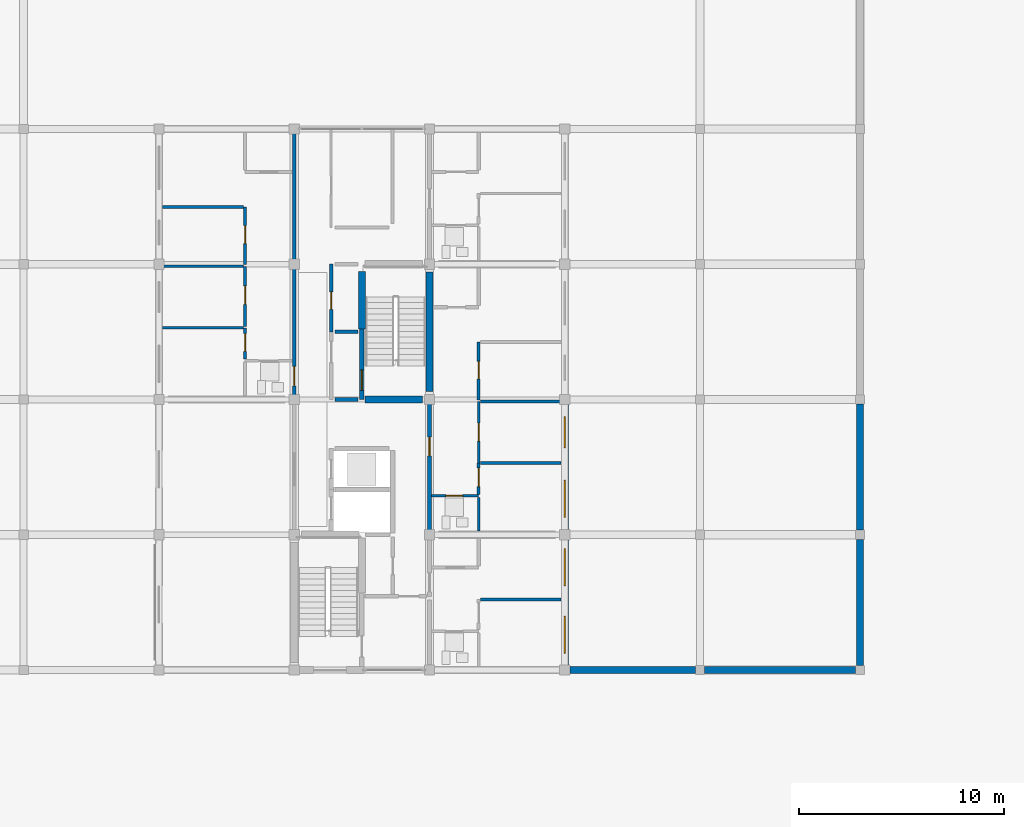
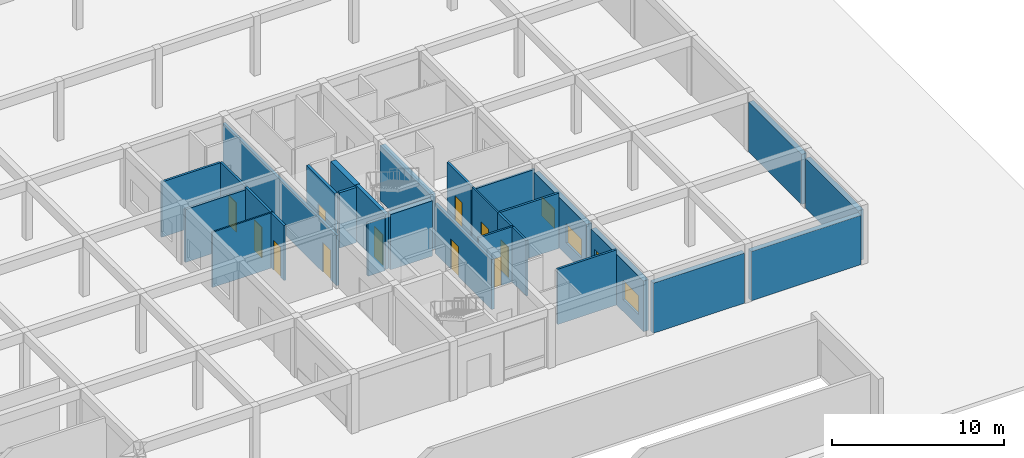
# One storey, part 59 of 75: 29 walls, 11 doors, 4 windows, 15 openings.
"""IFC4 building model written with IfcOpenShell, lengths in metres."""

from ifc_helpers import new_model, si_unit, direction, frame, frame_2d, origin, place, context, subcontext, project, spatial, rectangle, extrude, material, layer, layer_set, type_object, element, fill, save


model = new_model("IFC4")

# Units and contexts
model_context = context("Model", 3, precision=1e-05, world=origin(), true_north=direction((0.0, 1.0)))
body_context = subcontext(model_context, "Body", "Model", "MODEL_VIEW")
ifc_project = project(units=[si_unit("LENGTHUNIT", "METRE"), si_unit("AREAUNIT", "SQUARE_METRE"), si_unit("VOLUMEUNIT", "CUBIC_METRE"), si_unit("PLANEANGLEUNIT", "RADIAN"), si_unit("MASSUNIT", "GRAM", prefix="KILO")], contexts=[model_context])

# Site, building, storey
site_placement = place(None, origin())
site = spatial("IfcSite", under=ifc_project, at=site_placement, CompositionType="ELEMENT")
building_placement = place(site_placement, origin())
building = spatial("IfcBuilding", under=site, at=building_placement, Name="Kernevlak Ridge Housing Community", CompositionType="ELEMENT")
storey_placement = place(building_placement, origin())
storey = spatial("IfcBuildingStorey", under=building, at=storey_placement, Name="L00", CompositionType="ELEMENT", Elevation=0.0)

# Wall, openings, windows
ifc_material_1 = material(Name="Concrete block masonry M10", Category="masonry")
ifc_layer_1 = layer(ifc_material_1, 0.340087890625, Name="Concrete block masonry M10")
ifc_layer_set_1 = layer_set([ifc_layer_1], Name="Concrete block masonry M10")
wall_type_1 = type_object("IfcWallType", Name="EW-04", PredefinedType="STANDARD", material=ifc_layer_set_1)
wall_1_placement = place(storey_placement, frame((145.800048828125, 15.85009765625, 0.0), z_axis=(0.0, 0.0, 1.0), x_axis=(0.0, 1.0, 0.0)))
wall_1 = element("IfcWall", 1, at=wall_1_placement, inside=storey, type_object=wall_type_1, Name="Exterior wall EW-04 L00 538", PredefinedType="STANDARD", context=body_context, shape_type="SweptSolid", body=[
    extrude(rectangle(XDim=6.099853515625, YDim=0.340087890625, at=frame_2d((3.0498046875, 0.0))), origin(), (0.0, 0.0, 1.0), 3.60009765625),
])
opening_1_placement = place(wall_1_placement, frame((0.574951171875, 0.0, 0.85009765625)))
opening_1 = element("IfcOpeningElement", 2, at=opening_1_placement, cuts=wall_1, Name="Opening WT-03", PredefinedType="OPENING", context=body_context, shape_type="SweptSolid", body=[
    extrude(rectangle(XDim=1.800048828125, YDim=1.35009765625, at=frame_2d((0.89990234375, 0.675048828125))), frame((0.0, 0.179931640625, 0.0), z_axis=(0.0, -1.0, 0.0), x_axis=(1.0, 0.0, 0.0)), (0.0, 0.0, 1.0), 0.360107421875),
])
opening_2_placement = place(wall_1_placement, frame((3.875, 0.0, 0.85009765625)))
opening_2 = element("IfcOpeningElement", 3, at=opening_2_placement, cuts=wall_1, Name="Opening WT-04", PredefinedType="OPENING", context=body_context, shape_type="SweptSolid", body=[
    extrude(rectangle(XDim=1.800048828125, YDim=1.550048828125, at=frame_2d((0.89990234375, 0.77490234375))), frame((0.0, 0.179931640625, 0.0), z_axis=(0.0, -1.0, 0.0), x_axis=(1.0, 0.0, 0.0)), (0.0, 0.0, 1.0), 0.360107421875),
])
ifc_material_2 = material(Name="Aluminium EN AW-6060 anodised and laminated glass", Category="aluminium")
window_type_1 = type_object("IfcWindowType", Name="WT-03", PartitioningType="SINGLE_PANEL", PredefinedType="WINDOW", material=ifc_material_2)
window_1_placement = place(opening_1_placement, origin())
window_1 = element("IfcWindow", 4, at=window_1_placement, inside=storey, type_object=window_type_1, Name="Window WT-03 L00 419", OverallHeight=1.35009765625, OverallWidth=1.800048828125, PartitioningType="SINGLE_PANEL", PredefinedType="WINDOW", context=body_context, shape_type="SweptSolid", body=[
    extrude(rectangle(XDim=1.800048828125, YDim=1.35009765625, at=frame_2d((0.89990234375, 0.675048828125))), frame((0.0, 0.030029296875, 0.0), z_axis=(0.0, -1.0, 0.0), x_axis=(1.0, 0.0, 0.0)), (0.0, 0.0, 1.0), 0.06005859375),
])
fill(opening_1, window_1)
window_type_2 = type_object("IfcWindowType", Name="WT-04", PartitioningType="SINGLE_PANEL", PredefinedType="WINDOW", material=ifc_material_2)
window_2_placement = place(opening_2_placement, origin())
window_2 = element("IfcWindow", 5, at=window_2_placement, inside=storey, type_object=window_type_2, Name="Window WT-04 L00 420", OverallHeight=1.550048828125, OverallWidth=1.800048828125, PartitioningType="SINGLE_PANEL", PredefinedType="WINDOW", context=body_context, shape_type="SweptSolid", body=[
    extrude(rectangle(XDim=1.800048828125, YDim=1.550048828125, at=frame_2d((0.89990234375, 0.77490234375))), frame((0.0, 0.030029296875, 0.0), z_axis=(0.0, -1.0, 0.0), x_axis=(1.0, 0.0, 0.0)), (0.0, 0.0, 1.0), 0.06005859375),
])
fill(opening_2, window_2)

wall_2_placement = place(storey_placement, frame((145.800048828125, 22.449951171875, 0.0), z_axis=(0.0, 0.0, 1.0), x_axis=(0.0, 1.0, 0.0)))
wall_2 = element("IfcWall", 6, at=wall_2_placement, inside=storey, type_object=wall_type_1, Name="Exterior wall EW-04 L00 539", PredefinedType="STANDARD", context=body_context, shape_type="SweptSolid", body=[
    extrude(rectangle(XDim=6.10009765625, YDim=0.340087890625, at=frame_2d((3.050048828125, 0.0))), origin(), (0.0, 0.0, 1.0), 3.60009765625),
])
opening_3_placement = place(wall_2_placement, frame((0.60009765625, 0.0, 0.85009765625)))
opening_3 = element("IfcOpeningElement", 7, at=opening_3_placement, cuts=wall_2, Name="Opening WT-03", PredefinedType="OPENING", context=body_context, shape_type="SweptSolid", body=[
    extrude(rectangle(XDim=1.800048828125, YDim=1.35009765625, at=frame_2d((0.89990234375, 0.675048828125))), frame((0.0, 0.179931640625, 0.0), z_axis=(0.0, -1.0, 0.0), x_axis=(1.0, 0.0, 0.0)), (0.0, 0.0, 1.0), 0.360107421875),
])
opening_4_placement = place(wall_2_placement, frame((4.0, 0.0, 0.85009765625)))
opening_4 = element("IfcOpeningElement", 8, at=opening_4_placement, cuts=wall_2, Name="Opening WT-02", PredefinedType="OPENING", context=body_context, shape_type="SweptSolid", body=[
    extrude(rectangle(XDim=1.5, YDim=1.35009765625, at=frame_2d((0.75, 0.675048828125))), frame((0.0, 0.179931640625, 0.0), z_axis=(0.0, -1.0, 0.0), x_axis=(1.0, 0.0, 0.0)), (0.0, 0.0, 1.0), 0.360107421875),
])
window_type_3 = type_object("IfcWindowType", Name="WT-02", PartitioningType="SINGLE_PANEL", PredefinedType="WINDOW", material=ifc_material_2)
window_3_placement = place(opening_4_placement, origin())
window_3 = element("IfcWindow", 9, at=window_3_placement, inside=storey, type_object=window_type_3, Name="Window WT-02 L00 422", OverallHeight=1.35009765625, OverallWidth=1.5, PartitioningType="SINGLE_PANEL", PredefinedType="WINDOW", context=body_context, shape_type="SweptSolid", body=[
    extrude(rectangle(XDim=1.5, YDim=1.35009765625, at=frame_2d((0.75, 0.675048828125))), frame((0.0, 0.030029296875, 0.0), z_axis=(0.0, -1.0, 0.0), x_axis=(1.0, 0.0, 0.0)), (0.0, 0.0, 1.0), 0.06005859375),
])
fill(opening_4, window_3)
window_4_placement = place(opening_3_placement, origin())
window_4 = element("IfcWindow", 10, at=window_4_placement, inside=storey, type_object=window_type_1, Name="Window WT-03 L00 421", OverallHeight=1.35009765625, OverallWidth=1.800048828125, PartitioningType="SINGLE_PANEL", PredefinedType="WINDOW", context=body_context, shape_type="SweptSolid", body=[
    extrude(rectangle(XDim=1.800048828125, YDim=1.35009765625, at=frame_2d((0.89990234375, 0.675048828125))), frame((0.0, 0.030029296875, 0.0), z_axis=(0.0, -1.0, 0.0), x_axis=(1.0, 0.0, 0.0)), (0.0, 0.0, 1.0), 0.06005859375),
])
fill(opening_3, window_4)

# Walls
wall_3_placement = place(storey_placement, frame((160.199951171875, 15.824951171875, 0.0), z_axis=(0.0, 0.0, 1.0), x_axis=(0.0, 1.0, 0.0)))
element("IfcWall", 11, at=wall_3_placement, inside=storey, type_object=wall_type_1, Name="Exterior wall EW-04 L00 889", PredefinedType="STANDARD", context=body_context, shape_type="SweptSolid", body=[
    extrude(rectangle(XDim=6.150146484375, YDim=0.340087890625, at=frame_2d((3.0751953125, 0.0))), origin(), (0.0, 0.0, 1.0), 3.550048828125),
])
wall_4_placement = place(storey_placement, frame((160.199951171875, 22.425048828125, 0.0), z_axis=(0.0, 0.0, 1.0), x_axis=(0.0, 1.0, 0.0)))
element("IfcWall", 12, at=wall_4_placement, inside=storey, type_object=wall_type_1, Name="Exterior wall EW-04 L00 890", PredefinedType="STANDARD", context=body_context, shape_type="SweptSolid", body=[
    extrude(rectangle(XDim=6.14990234375, YDim=0.340087890625, at=frame_2d((3.074951171875, 0.0))), origin(), (0.0, 0.0, 1.0), 3.550048828125),
])
wall_5_placement = place(storey_placement, frame((146.050048828125, 15.60009765625, 0.0), z_axis=(0.0, 0.0, 1.0), x_axis=(1.0, 0.0, 0.0)))
element("IfcWall", 13, at=wall_5_placement, inside=storey, type_object=wall_type_1, Name="Exterior wall EW-04 L00 901", PredefinedType="STANDARD", context=body_context, shape_type="SweptSolid", body=[
    extrude(rectangle(XDim=6.125, YDim=0.340087890625, at=frame_2d((3.0625, 0.0))), origin(), (0.0, 0.0, 1.0), 3.550048828125),
])
wall_6_placement = place(storey_placement, frame((152.625, 15.60009765625, 0.0), z_axis=(0.0, 0.0, 1.0), x_axis=(1.0, 0.0, 0.0)))
element("IfcWall", 14, at=wall_6_placement, inside=storey, type_object=wall_type_1, Name="Exterior wall EW-04 L00 902", PredefinedType="STANDARD", context=body_context, shape_type="SweptSolid", body=[
    extrude(rectangle(XDim=7.35009765625, YDim=0.340087890625, at=frame_2d((3.675048828125, 0.0))), origin(), (0.0, 0.0, 1.0), 3.5),
])

# Wall, opening, door
ifc_material_3 = material(Name="Concrete C35/45", Category="concrete")
ifc_layer_2 = layer(ifc_material_3, 0.22509765625, Name="Concrete C35/45")
ifc_layer_set_2 = layer_set([ifc_layer_2], Name="Concrete C35/45")
wall_type_2 = type_object("IfcWallType", Name="PW-01", PredefinedType="STANDARD", material=ifc_layer_set_2)
wall_7_placement = place(storey_placement, frame((135.89990234375, 28.800048828125, 0.0), z_axis=(0.0, 0.0, 1.0), x_axis=(0.0, 1.0, 0.0)))
wall_7 = element("IfcWall", 15, at=wall_7_placement, inside=storey, type_object=wall_type_2, Name="Interior wall PW-01 WAL-INT-L00-2115", PredefinedType="STANDARD", context=body_context, shape_type="SweptSolid", body=[
    extrude(rectangle(XDim=3.449951171875, YDim=0.22509765625, at=frame_2d((1.72509765625, 0.0))), origin(), (0.0, 0.0, 1.0), 3.919921875),
])
opening_5_placement = place(wall_7_placement, frame((0.449951171875, 0.0, 0.0)))
opening_5 = element("IfcOpeningElement", 16, at=opening_5_placement, cuts=wall_7, Name="Opening E070", PredefinedType="OPENING", context=body_context, shape_type="SweptSolid", body=[
    extrude(rectangle(XDim=1.0, YDim=2.159912109375, at=frame_2d((0.5, 1.080078125))), frame((0.0, 0.12255859375, 0.0), z_axis=(0.0, -1.0, 0.0), x_axis=(1.0, 0.0, 0.0)), (0.0, 0.0, 1.0), 0.2451171875),
])
ifc_material_4 = material(Name="Fire-rated sheet steel leaf", Category="steel")
door_type_1 = type_object("IfcDoorType", Name="DT-15", OperationType="NOTDEFINED", PredefinedType="DOOR", material=ifc_material_4)
door_1_placement = place(opening_5_placement, origin())
door_1 = element("IfcDoor", 17, at=door_1_placement, inside=storey, type_object=door_type_1, Name="Block C Stair 2 fire door E070", OperationType="SINGLE_SWING_LEFT", OverallHeight=2.159912109375, OverallWidth=1.0, PredefinedType="DOOR", context=body_context, shape_type="SweptSolid", body=[
    extrude(rectangle(XDim=1.0, YDim=2.159912109375, at=frame_2d((0.5, 1.080078125))), frame((0.0, 0.02490234375, 0.0), z_axis=(0.0, -1.0, 0.0), x_axis=(1.0, 0.0, 0.0)), (0.0, 0.0, 1.0), 0.050048828125),
])
fill(opening_5, door_1)

ifc_layer_3 = layer(ifc_material_1, 0.175048828125, Name="Concrete block masonry M10")
ifc_layer_set_3 = layer_set([ifc_layer_3], Name="Concrete block masonry M10")
wall_type_3 = type_object("IfcWallType", Name="PW-02", PredefinedType="PARTITIONING", material=ifc_layer_set_3)
wall_8_placement = place(storey_placement, frame((134.39990234375, 32.10009765625, 0.0), z_axis=(0.0, 0.0, 1.0), x_axis=(0.0, 1.0, 0.0)))
wall_8 = element("IfcWall", 18, at=wall_8_placement, inside=storey, type_object=wall_type_3, Name="Interior wall PW-02 WAL-INT-L00-2117", PredefinedType="PARTITIONING", context=body_context, shape_type="SweptSolid", body=[
    extrude(rectangle(XDim=3.2998046875, YDim=0.175048828125, at=frame_2d((1.64990234375, 0.0))), origin(), (0.0, 0.0, 1.0), 3.919921875),
])
opening_6_placement = place(wall_8_placement, frame((1.10009765625, 0.0, 0.0)))
opening_6 = element("IfcOpeningElement", 19, at=opening_6_placement, cuts=wall_8, Name="Opening E072", PredefinedType="OPENING", context=body_context, shape_type="SweptSolid", body=[
    extrude(rectangle(XDim=0.85009765625, YDim=2.0, at=frame_2d((0.425048828125, 1.0))), frame((0.0, 0.097412109375, 0.0), z_axis=(0.0, -1.0, 0.0), x_axis=(1.0, 0.0, 0.0)), (0.0, 0.0, 1.0), 0.195068359375),
])
door_type_2 = type_object("IfcDoorType", Name="DT-07", OperationType="NOTDEFINED", PredefinedType="DOOR", material=ifc_material_4)
door_2_placement = place(opening_6_placement, origin())
door_2 = element("IfcDoor", 20, at=door_2_placement, inside=storey, type_object=door_type_2, Name="Block C Cleaner store door E072", OperationType="SINGLE_SWING_LEFT", OverallHeight=2.0, OverallWidth=0.85009765625, PredefinedType="DOOR", context=body_context, shape_type="SweptSolid", body=[
    extrude(rectangle(XDim=0.85009765625, YDim=2.0, at=frame_2d((0.425048828125, 1.0))), frame((0.0, 0.02490234375, 0.0), z_axis=(0.0, -1.0, 0.0), x_axis=(1.0, 0.0, 0.0)), (0.0, 0.0, 1.0), 0.050048828125),
])
fill(opening_6, door_2)

# Walls
wall_9_placement = place(storey_placement, frame((134.580078125, 28.800048828125, 0.0), z_axis=(0.0, 0.0, 1.0), x_axis=(1.0, 0.0, 0.0)))
element("IfcWall", 21, at=wall_9_placement, inside=storey, type_object=wall_type_3, Name="Interior wall PW-02 WAL-INT-L00-2118", PredefinedType="PARTITIONING", context=body_context, shape_type="SweptSolid", body=[
    extrude(rectangle(XDim=1.139892578125, YDim=0.175048828125, at=frame_2d((0.56982421875, 0.0))), origin(), (0.0, 0.0, 1.0), 3.75),
])
wall_10_placement = place(storey_placement, frame((134.580078125, 32.10009765625, 0.0), z_axis=(0.0, 0.0, 1.0), x_axis=(1.0, 0.0, 0.0)))
element("IfcWall", 22, at=wall_10_placement, inside=storey, type_object=wall_type_3, Name="Interior wall PW-02 WAL-INT-L00-2119", PredefinedType="PARTITIONING", context=body_context, shape_type="SweptSolid", body=[
    extrude(rectangle(XDim=1.139892578125, YDim=0.175048828125, at=frame_2d((0.56982421875, 0.0))), origin(), (0.0, 0.0, 1.0), 3.919921875),
])

# Wall, opening, door
wall_11_placement = place(storey_placement, frame((132.60009765625, 28.800048828125, 0.0), z_axis=(0.0, 0.0, 1.0), x_axis=(0.0, 1.0, 0.0)))
wall_11 = element("IfcWall", 23, at=wall_11_placement, inside=storey, type_object=wall_type_3, Name="Interior wall PW-02 WAL-INT-L00-2125", PredefinedType="PARTITIONING", context=body_context, shape_type="SweptSolid", body=[
    extrude(rectangle(XDim=13.199951171875, YDim=0.175048828125, at=frame_2d((6.60009765625, 0.0))), origin(), (0.0, 0.0, 1.0), 3.550048828125),
])
opening_7_placement = place(wall_11_placement, frame((0.669921875, 0.0, 0.0)))
opening_7 = element("IfcOpeningElement", 24, at=opening_7_placement, cuts=wall_11, Name="Opening E077", PredefinedType="OPENING", context=body_context, shape_type="SweptSolid", body=[
    extrude(rectangle(XDim=0.949951171875, YDim=2.10009765625, at=frame_2d((0.47509765625, 1.050048828125))), frame((0.0, 0.097412109375, 0.0), z_axis=(0.0, -1.0, 0.0), x_axis=(1.0, 0.0, 0.0)), (0.0, 0.0, 1.0), 0.195068359375),
])
ifc_material_5 = material(Name="Hardwood timber solid-core fire leaf", Category="wood")
door_type_3 = type_object("IfcDoorType", Name="DT-01", OperationType="NOTDEFINED", PredefinedType="DOOR", material=ifc_material_5)
door_3_placement = place(opening_7_placement, origin())
door_3 = element("IfcDoor", 25, at=door_3_placement, inside=storey, type_object=door_type_3, Name="Flat C0012 entrance fire door E077", OperationType="SINGLE_SWING_RIGHT", OverallHeight=2.10009765625, OverallWidth=0.949951171875, PredefinedType="DOOR", context=body_context, shape_type="SweptSolid", body=[
    extrude(rectangle(XDim=0.949951171875, YDim=2.10009765625, at=frame_2d((0.47509765625, 1.050048828125))), frame((0.0, 0.02490234375, 0.0), z_axis=(0.0, -1.0, 0.0), x_axis=(1.0, 0.0, 0.0)), (0.0, 0.0, 1.0), 0.050048828125),
])
fill(opening_7, door_3)

wall_12_placement = place(storey_placement, frame((139.199951171875, 22.199951171875, 0.0), z_axis=(0.0, 0.0, 1.0), x_axis=(0.0, 1.0, 0.0)))
wall_12 = element("IfcWall", 26, at=wall_12_placement, inside=storey, type_object=wall_type_3, Name="Interior wall PW-02 WAL-INT-L00-2144", PredefinedType="PARTITIONING", context=body_context, shape_type="SweptSolid", body=[
    extrude(rectangle(XDim=6.60009765625, YDim=0.175048828125, at=frame_2d((3.300048828125, 0.0))), origin(), (0.0, 0.0, 1.0), 3.550048828125),
])
opening_8_placement = place(wall_12_placement, frame((3.85009765625, 0.0, 0.0)))
opening_8 = element("IfcOpeningElement", 27, at=opening_8_placement, cuts=wall_12, Name="Opening E087", PredefinedType="OPENING", context=body_context, shape_type="SweptSolid", body=[
    extrude(rectangle(XDim=0.919921875, YDim=2.139892578125, at=frame_2d((0.4599609375, 1.06982421875))), frame((0.0, 0.097412109375, 0.0), z_axis=(0.0, -1.0, 0.0), x_axis=(1.0, 0.0, 0.0)), (0.0, 0.0, 1.0), 0.195068359375),
])
door_type_4 = type_object("IfcDoorType", Name="DT-20", OperationType="NOTDEFINED", PredefinedType="DOOR", material=ifc_material_5)
door_4_placement = place(opening_8_placement, origin())
door_4 = element("IfcDoor", 28, at=door_4_placement, inside=storey, type_object=door_type_4, Name="Flat C0022 entrance fire door E087", OperationType="SINGLE_SWING_RIGHT", OverallHeight=2.139892578125, OverallWidth=0.919921875, PredefinedType="DOOR", context=body_context, shape_type="SweptSolid", body=[
    extrude(rectangle(XDim=0.919921875, YDim=2.139892578125, at=frame_2d((0.4599609375, 1.06982421875))), frame((0.0, 0.02490234375, 0.0), z_axis=(0.0, -1.0, 0.0), x_axis=(1.0, 0.0, 0.0)), (0.0, 0.0, 1.0), 0.050048828125),
])
fill(opening_8, door_4)

ifc_layer_4 = layer(ifc_material_1, 0.14501953125, Name="Concrete block masonry M10")
ifc_layer_set_4 = layer_set([ifc_layer_4], Name="Concrete block masonry M10")
wall_type_4 = type_object("IfcWallType", Name="PW-03", PredefinedType="PARTITIONING", material=ifc_layer_set_4)
wall_13_placement = place(storey_placement, frame((130.199951171875, 30.7724609375, 0.0), z_axis=(0.0, 0.0, 1.0), x_axis=(0.0, 1.0, 0.0)))
wall_13 = element("IfcWall", 29, at=wall_13_placement, inside=storey, type_object=wall_type_4, Name="Interior wall PW-03 WAL-INT-L00-2130", PredefinedType="PARTITIONING", context=body_context, shape_type="SweptSolid", body=[
    extrude(rectangle(XDim=1.527587890625, YDim=0.14501953125, at=frame_2d((0.763671875, 0.0))), origin(), (0.0, 0.0, 1.0), 3.919921875),
])
opening_9_placement = place(wall_13_placement, frame((0.375, 0.0, 0.0)))
opening_9 = element("IfcOpeningElement", 30, at=opening_9_placement, cuts=wall_13, Name="Opening E080", PredefinedType="OPENING", context=body_context, shape_type="SweptSolid", body=[
    extrude(rectangle(XDim=0.860107421875, YDim=2.1201171875, at=frame_2d((0.43017578125, 1.06005859375))), frame((0.0, 0.08251953125, 0.0), z_axis=(0.0, -1.0, 0.0), x_axis=(1.0, 0.0, 0.0)), (0.0, 0.0, 1.0), 0.1650390625),
])
ifc_material_6 = material(Name="Hardwood timber leaf", Category="wood")
door_type_5 = type_object("IfcDoorType", Name="DT-28", OperationType="NOTDEFINED", PredefinedType="DOOR", material=ifc_material_6)
door_5_placement = place(opening_9_placement, origin())
door_5 = element("IfcDoor", 31, at=door_5_placement, inside=storey, type_object=door_type_5, Name="Flat C0012 bedroom door E080", OperationType="SINGLE_SWING_LEFT", OverallHeight=2.1201171875, OverallWidth=0.860107421875, PredefinedType="DOOR", context=body_context, shape_type="SweptSolid", body=[
    extrude(rectangle(XDim=0.860107421875, YDim=2.1201171875, at=frame_2d((0.43017578125, 1.06005859375))), frame((0.0, 0.02490234375, 0.0), z_axis=(0.0, -1.0, 0.0), x_axis=(1.0, 0.0, 0.0)), (0.0, 0.0, 1.0), 0.050048828125),
])
fill(opening_9, door_5)

wall_14_placement = place(storey_placement, frame((130.199951171875, 32.362548828125, 0.0), z_axis=(0.0, 0.0, 1.0), x_axis=(0.0, 1.0, 0.0)))
wall_14 = element("IfcWall", 32, at=wall_14_placement, inside=storey, type_object=wall_type_4, Name="Interior wall PW-03 WAL-INT-L00-2132", PredefinedType="PARTITIONING", context=body_context, shape_type="SweptSolid", body=[
    extrude(rectangle(XDim=2.9375, YDim=0.14501953125, at=frame_2d((1.46875, 0.0))), origin(), (0.0, 0.0, 1.0), 3.919921875),
])
opening_10_placement = place(wall_14_placement, frame((1.074951171875, 0.0, 0.0)))
opening_10 = element("IfcOpeningElement", 33, at=opening_10_placement, cuts=wall_14, Name="Opening E081", PredefinedType="OPENING", context=body_context, shape_type="SweptSolid", body=[
    extrude(rectangle(XDim=0.909912109375, YDim=2.139892578125, at=frame_2d((0.455078125, 1.06982421875))), frame((0.0, 0.08251953125, 0.0), z_axis=(0.0, -1.0, 0.0), x_axis=(1.0, 0.0, 0.0)), (0.0, 0.0, 1.0), 0.1650390625),
])
door_type_6 = type_object("IfcDoorType", Name="DT-31", OperationType="NOTDEFINED", PredefinedType="DOOR", material=ifc_material_6)
door_6_placement = place(opening_10_placement, origin())
door_6 = element("IfcDoor", 34, at=door_6_placement, inside=storey, type_object=door_type_6, Name="Flat C0012 bedroom door E081", OperationType="SINGLE_SWING_RIGHT", OverallHeight=2.139892578125, OverallWidth=0.909912109375, PredefinedType="DOOR", context=body_context, shape_type="SweptSolid", body=[
    extrude(rectangle(XDim=0.909912109375, YDim=2.139892578125, at=frame_2d((0.455078125, 1.06982421875))), frame((0.0, 0.02490234375, 0.0), z_axis=(0.0, -1.0, 0.0), x_axis=(1.0, 0.0, 0.0)), (0.0, 0.0, 1.0), 0.050048828125),
])
fill(opening_10, door_6)

# Wall
wall_15_placement = place(storey_placement, frame((130.117431640625, 35.300048828125, 0.0), z_axis=(0.0, 0.0, 1.0), x_axis=(-1.0, 0.0, 0.0)))
element("IfcWall", 35, at=wall_15_placement, inside=storey, type_object=wall_type_4, Name="Interior wall PW-03 WAL-INT-L00-2133", PredefinedType="PARTITIONING", context=body_context, shape_type="SweptSolid", body=[
    extrude(rectangle(XDim=4.037353515625, YDim=0.14501953125, at=frame_2d((2.0185546875, 0.0))), origin(), (0.0, 0.0, 1.0), 3.75),
])

# Wall, opening, door
wall_16_placement = place(storey_placement, frame((130.199951171875, 35.382568359375, 0.0), z_axis=(0.0, 0.0, 1.0), x_axis=(0.0, 1.0, 0.0)))
wall_16 = element("IfcWall", 36, at=wall_16_placement, inside=storey, type_object=wall_type_4, Name="Interior wall PW-03 WAL-INT-L00-2134", PredefinedType="PARTITIONING", context=body_context, shape_type="SweptSolid", body=[
    extrude(rectangle(XDim=2.8173828125, YDim=0.14501953125, at=frame_2d((1.40869140625, 0.0))), origin(), (0.0, 0.0, 1.0), 3.919921875),
])
opening_11_placement = place(wall_16_placement, frame((1.02490234375, 0.0, 0.0)))
opening_11 = element("IfcOpeningElement", 37, at=opening_11_placement, cuts=wall_16, Name="Opening E082", PredefinedType="OPENING", context=body_context, shape_type="SweptSolid", body=[
    extrude(rectangle(XDim=0.8701171875, YDim=2.080078125, at=frame_2d((0.43505859375, 1.0400390625))), frame((0.0, 0.08251953125, 0.0), z_axis=(0.0, -1.0, 0.0), x_axis=(1.0, 0.0, 0.0)), (0.0, 0.0, 1.0), 0.1650390625),
])
door_type_7 = type_object("IfcDoorType", Name="DT-32", OperationType="NOTDEFINED", PredefinedType="DOOR", material=ifc_material_6)
door_7_placement = place(opening_11_placement, origin())
door_7 = element("IfcDoor", 38, at=door_7_placement, inside=storey, type_object=door_type_7, Name="Flat C0012 bedroom door E082", OperationType="SINGLE_SWING_LEFT", OverallHeight=2.080078125, OverallWidth=0.8701171875, PredefinedType="DOOR", context=body_context, shape_type="SweptSolid", body=[
    extrude(rectangle(XDim=0.8701171875, YDim=2.080078125, at=frame_2d((0.43505859375, 1.0400390625))), frame((0.0, 0.02490234375, 0.0), z_axis=(0.0, -1.0, 0.0), x_axis=(1.0, 0.0, 0.0)), (0.0, 0.0, 1.0), 0.050048828125),
])
fill(opening_11, door_7)

# Walls
for number, where, z_axis, x_axis, name in (
    (39, (130.117431640625, 38.199951171875, 0.0), (0.0, 0.0, 1.0), (-1.0, 0.0, 0.0), "Interior wall PW-03 WAL-INT-L00-2135"),
    (40, (141.6826171875, 19.050048828125, 0.0), (0.0, 0.0, 1.0), (1.0, 0.0, 0.0), "Interior wall PW-03 WAL-INT-L00-2143"),
):
    element("IfcWall", number, at=place(storey_placement, frame(where, z_axis=z_axis, x_axis=x_axis)), inside=storey, type_object=wall_type_4, Name=name, PredefinedType="PARTITIONING", context=body_context, shape_type="SweptSolid", body=[
        extrude(rectangle(XDim=3.9375, YDim=0.14501953125, at=frame_2d((1.96875, 0.0))), origin(), (0.0, 0.0, 1.0), 3.919921875),
    ])

# Wall, opening, door
wall_17_placement = place(storey_placement, frame((141.60009765625, 24.172607421875, 0.0), z_axis=(0.0, 0.0, 1.0), x_axis=(0.0, 1.0, 0.0)))
wall_17 = element("IfcWall", 41, at=wall_17_placement, inside=storey, type_object=wall_type_4, Name="Interior wall PW-03 WAL-INT-L00-2149", PredefinedType="PARTITIONING", context=body_context, shape_type="SweptSolid", body=[
    extrude(rectangle(XDim=1.52734375, YDim=0.14501953125, at=frame_2d((0.763671875, 0.0))), origin(), (0.0, 0.0, 1.0), 3.919921875),
])
opening_12_placement = place(wall_17_placement, frame((0.375, 0.0, 0.0)))
opening_12 = element("IfcOpeningElement", 42, at=opening_12_placement, cuts=wall_17, Name="Opening E090", PredefinedType="OPENING", context=body_context, shape_type="SweptSolid", body=[
    extrude(rectangle(XDim=0.909912109375, YDim=2.139892578125, at=frame_2d((0.455078125, 1.06982421875))), frame((0.0, 0.08251953125, 0.0), z_axis=(0.0, -1.0, 0.0), x_axis=(1.0, 0.0, 0.0)), (0.0, 0.0, 1.0), 0.1650390625),
])
door_8_placement = place(opening_12_placement, origin())
door_8 = element("IfcDoor", 43, at=door_8_placement, inside=storey, type_object=door_type_6, Name="Flat C0022 bedroom door E090", OperationType="SINGLE_SWING_LEFT", OverallHeight=2.139892578125, OverallWidth=0.909912109375, PredefinedType="DOOR", context=body_context, shape_type="SweptSolid", body=[
    extrude(rectangle(XDim=0.909912109375, YDim=2.139892578125, at=frame_2d((0.455078125, 1.06982421875))), frame((0.0, 0.02490234375, 0.0), z_axis=(0.0, -1.0, 0.0), x_axis=(1.0, 0.0, 0.0)), (0.0, 0.0, 1.0), 0.050048828125),
])
fill(opening_12, door_8)

# Walls
wall_18_placement = place(storey_placement, frame((141.6826171875, 25.699951171875, 0.0), z_axis=(0.0, 0.0, 1.0), x_axis=(1.0, 0.0, 0.0)))
element("IfcWall", 44, at=wall_18_placement, inside=storey, type_object=wall_type_4, Name="Interior wall PW-03 WAL-INT-L00-2150", PredefinedType="PARTITIONING", context=body_context, shape_type="SweptSolid", body=[
    extrude(rectangle(XDim=3.9375, YDim=0.14501953125, at=frame_2d((1.96875, 0.0))), origin(), (0.0, 0.0, 1.0), 3.919921875),
])
wall_19_placement = place(storey_placement, frame((141.679931640625, 28.699951171875, 0.0), z_axis=(0.0, 0.0, 1.0), x_axis=(1.0, 0.0, 0.0)))
element("IfcWall", 45, at=wall_19_placement, inside=storey, type_object=wall_type_4, Name="Interior wall PW-03 WAL-INT-L00-2152", PredefinedType="PARTITIONING", context=body_context, shape_type="SweptSolid", body=[
    extrude(rectangle(XDim=4.0400390625, YDim=0.14501953125, at=frame_2d((2.02001953125, 0.0))), origin(), (0.0, 0.0, 1.0), 3.75),
])

# Wall, opening, door
wall_20_placement = place(storey_placement, frame((141.60009765625, 28.782470703125, 0.0), z_axis=(0.0, 0.0, 1.0), x_axis=(0.0, 1.0, 0.0)))
wall_20 = element("IfcWall", 46, at=wall_20_placement, inside=storey, type_object=wall_type_4, Name="Interior wall PW-03 WAL-INT-L00-2153", PredefinedType="PARTITIONING", context=body_context, shape_type="SweptSolid", body=[
    extrude(rectangle(XDim=2.817626953125, YDim=0.14501953125, at=frame_2d((1.40869140625, 0.0))), origin(), (0.0, 0.0, 1.0), 3.919921875),
])
opening_13_placement = place(wall_20_placement, frame((1.02490234375, 0.0, 0.0)))
opening_13 = element("IfcOpeningElement", 47, at=opening_13_placement, cuts=wall_20, Name="Opening E092", PredefinedType="OPENING", context=body_context, shape_type="SweptSolid", body=[
    extrude(rectangle(XDim=0.85009765625, YDim=2.10009765625, at=frame_2d((0.425048828125, 1.050048828125))), frame((0.0, 0.08251953125, 0.0), z_axis=(0.0, -1.0, 0.0), x_axis=(1.0, 0.0, 0.0)), (0.0, 0.0, 1.0), 0.1650390625),
])
door_type_8 = type_object("IfcDoorType", Name="DT-03", OperationType="NOTDEFINED", PredefinedType="DOOR", material=ifc_material_6)
door_9_placement = place(opening_13_placement, origin())
door_9 = element("IfcDoor", 48, at=door_9_placement, inside=storey, type_object=door_type_8, Name="Flat C0022 bedroom door E092", OperationType="SINGLE_SWING_LEFT", OverallHeight=2.10009765625, OverallWidth=0.85009765625, PredefinedType="DOOR", context=body_context, shape_type="SweptSolid", body=[
    extrude(rectangle(XDim=0.85009765625, YDim=2.10009765625, at=frame_2d((0.425048828125, 1.050048828125))), frame((0.0, 0.02490234375, 0.0), z_axis=(0.0, -1.0, 0.0), x_axis=(1.0, 0.0, 0.0)), (0.0, 0.0, 1.0), 0.050048828125),
])
fill(opening_13, door_9)

ifc_material_7 = material(Name="Gypsum plasterboard EN 520", Category="gypsum")
ifc_layer_5 = layer(ifc_material_7, 0.125, Name="Gypsum plasterboard EN 520")
ifc_layer_set_5 = layer_set([ifc_layer_5], Name="Gypsum plasterboard EN 520")
wall_type_5 = type_object("IfcWallType", Name="PW-04", PredefinedType="PARTITIONING", material=ifc_layer_set_5)
wall_21_placement = place(storey_placement, frame((139.297607421875, 24.10009765625, 0.0), z_axis=(0.0, 0.0, 1.0), x_axis=(1.0, 0.0, 0.0)))
wall_21 = element("IfcWall", 49, at=wall_21_placement, inside=storey, type_object=wall_type_5, Name="Interior wall PW-04 WAL-INT-L00-2145", PredefinedType="PARTITIONING", context=body_context, shape_type="SweptSolid", body=[
    extrude(rectangle(XDim=2.302490234375, YDim=0.125, at=frame_2d((1.1513671875, 0.0))), origin(), (0.0, 0.0, 1.0), 3.919921875),
])
opening_14_placement = place(wall_21_placement, frame((0.699951171875, 0.0, 0.0)))
opening_14 = element("IfcOpeningElement", 50, at=opening_14_placement, cuts=wall_21, Name="Opening E088", PredefinedType="OPENING", context=body_context, shape_type="SweptSolid", body=[
    extrude(rectangle(XDim=0.820068359375, YDim=2.050048828125, at=frame_2d((0.41015625, 1.02490234375))), frame((0.0, 0.072509765625, 0.0), z_axis=(0.0, -1.0, 0.0), x_axis=(1.0, 0.0, 0.0)), (0.0, 0.0, 1.0), 0.14501953125),
])
ifc_material_8 = material(Name="Hardwood timber moisture-resistant leaf", Category="wood")
door_type_9 = type_object("IfcDoorType", Name="DT-30", OperationType="NOTDEFINED", PredefinedType="DOOR", material=ifc_material_8)
door_10_placement = place(opening_14_placement, origin())
door_10 = element("IfcDoor", 51, at=door_10_placement, inside=storey, type_object=door_type_9, Name="Flat C0022 bathroom door E088", OperationType="SINGLE_SWING_LEFT", OverallHeight=2.050048828125, OverallWidth=0.820068359375, PredefinedType="DOOR", context=body_context, shape_type="SweptSolid", body=[
    extrude(rectangle(XDim=0.820068359375, YDim=2.050048828125, at=frame_2d((0.41015625, 1.02490234375))), frame((0.0, 0.02490234375, 0.0), z_axis=(0.0, -1.0, 0.0), x_axis=(1.0, 0.0, 0.0)), (0.0, 0.0, 1.0), 0.050048828125),
])
fill(opening_14, door_10)

# Walls
wall_22_placement = place(storey_placement, frame((141.60009765625, 22.385009765625, 0.0), z_axis=(0.0, 0.0, 1.0), x_axis=(0.0, 1.0, 0.0)))
element("IfcWall", 52, at=wall_22_placement, inside=storey, type_object=wall_type_5, Name="Interior wall PW-04 WAL-INT-L00-2146", PredefinedType="PARTITIONING", context=body_context, shape_type="SweptSolid", body=[
    extrude(rectangle(XDim=1.635009765625, YDim=0.125, at=frame_2d((0.8173828125, 0.0))), origin(), (0.0, 0.0, 1.0), 3.919921875),
])
ifc_layer_6 = layer(ifc_material_7, 0.10498046875, Name="Gypsum plasterboard EN 520")
ifc_layer_set_6 = layer_set([ifc_layer_6], Name="Gypsum plasterboard EN 520")
wall_type_6 = type_object("IfcWallType", Name="PW-06", PredefinedType="PARTITIONING", material=ifc_layer_set_6)
wall_23_placement = place(storey_placement, frame((130.117431640625, 32.300048828125, 0.0), z_axis=(0.0, 0.0, 1.0), x_axis=(-1.0, 0.0, 0.0)))
element("IfcWall", 53, at=wall_23_placement, inside=storey, type_object=wall_type_6, Name="Interior wall PW-06 WAL-INT-L00-2131", PredefinedType="PARTITIONING", context=body_context, shape_type="SweptSolid", body=[
    extrude(rectangle(XDim=3.9375, YDim=0.10498046875, at=frame_2d((1.96875, 0.0))), origin(), (0.0, 0.0, 1.0), 3.919921875),
])

# Wall, opening, door
wall_24_placement = place(storey_placement, frame((141.60009765625, 25.699951171875, 0.0), z_axis=(0.0, 0.0, 1.0), x_axis=(0.0, 1.0, 0.0)))
wall_24 = element("IfcWall", 54, at=wall_24_placement, inside=storey, type_object=wall_type_6, Name="Interior wall PW-06 WAL-INT-L00-2151", PredefinedType="PARTITIONING", context=body_context, shape_type="SweptSolid", body=[
    extrude(rectangle(XDim=3.0, YDim=0.10498046875, at=frame_2d((1.5, 0.0))), origin(), (0.0, 0.0, 1.0), 3.919921875),
])
opening_15_placement = place(wall_24_placement, frame((1.074951171875, 0.0, 0.0)))
opening_15 = element("IfcOpeningElement", 55, at=opening_15_placement, cuts=wall_24, Name="Opening E091", PredefinedType="OPENING", context=body_context, shape_type="SweptSolid", body=[
    extrude(rectangle(XDim=0.8701171875, YDim=2.080078125, at=frame_2d((0.43505859375, 1.0400390625))), frame((0.0, 0.0625, 0.0), z_axis=(0.0, -1.0, 0.0), x_axis=(1.0, 0.0, 0.0)), (0.0, 0.0, 1.0), 0.125),
])
door_11_placement = place(opening_15_placement, origin())
door_11 = element("IfcDoor", 56, at=door_11_placement, inside=storey, type_object=door_type_7, Name="Flat C0022 bedroom door E091", OperationType="SINGLE_SWING_RIGHT", OverallHeight=2.080078125, OverallWidth=0.8701171875, PredefinedType="DOOR", context=body_context, shape_type="SweptSolid", body=[
    extrude(rectangle(XDim=0.8701171875, YDim=2.080078125, at=frame_2d((0.43505859375, 1.0400390625))), frame((0.0, 0.02490234375, 0.0), z_axis=(0.0, -1.0, 0.0), x_axis=(1.0, 0.0, 0.0)), (0.0, 0.0, 1.0), 0.050048828125),
])
fill(opening_15, door_11)

# Walls
ifc_material_9 = material(Name="Concrete C40/50", Category="concrete")
ifc_layer_7 = layer(ifc_material_9, 0.35009765625, Name="Concrete C40/50")
ifc_layer_set_7 = layer_set([ifc_layer_7], Name="Concrete C40/50")
wall_type_7 = type_object("IfcWallType", Name="SW-01", PredefinedType="SHEAR", material=ifc_layer_set_7)
wall_25_placement = place(storey_placement, frame((139.199951171875, 29.179931640625, 0.0), z_axis=(0.0, 0.0, 1.0), x_axis=(0.0, 1.0, 0.0)))
element("IfcWall", 57, at=wall_25_placement, inside=storey, type_object=wall_type_7, Name="Shear wall SW-01 Block C L00 374", PredefinedType="SHEAR", context=body_context, shape_type="SweptSolid", body=[
    extrude(rectangle(XDim=5.840087890625, YDim=0.35009765625, at=frame_2d((2.919921875, 0.0))), origin(), (0.0, 0.0, 1.0), 3.919921875),
])
for number, where, z_axis, x_axis, name in (
    (58, (135.89990234375, 32.25, 0.0), (0.0, 0.0, 1.0), (0.0, 1.0, 0.0), "Shear wall SW-01 Block C L00 375"),
    (59, (136.050048828125, 28.800048828125, 0.0), (0.0, 0.0, 1.0), (1.0, 0.0, 0.0), "Shear wall SW-01 Block C L00 376"),
):
    element("IfcWall", number, at=place(storey_placement, frame(where, z_axis=z_axis, x_axis=x_axis)), inside=storey, type_object=wall_type_7, Name=name, PredefinedType="SHEAR", context=body_context, shape_type="SweptSolid", body=[
        extrude(rectangle(XDim=2.800048828125, YDim=0.35009765625, at=frame_2d((1.39990234375, 0.0))), origin(), (0.0, 0.0, 1.0), 3.919921875),
    ])

save(model, "model.ifc")
